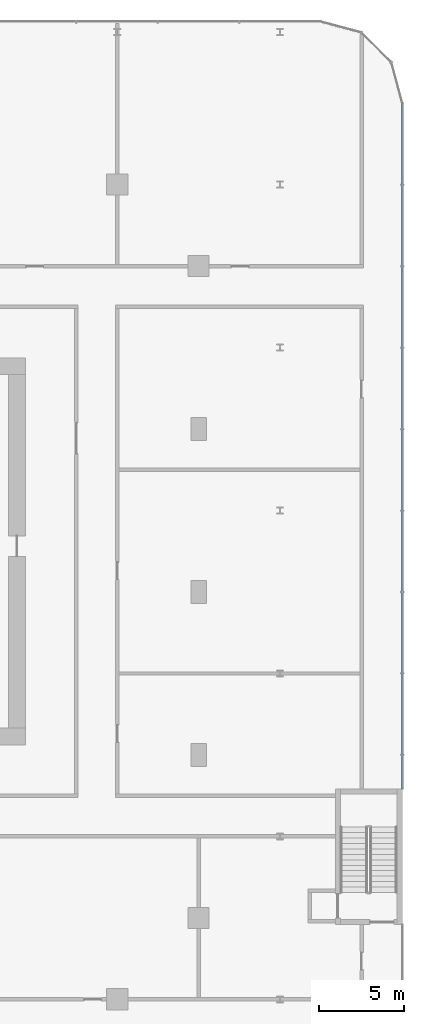
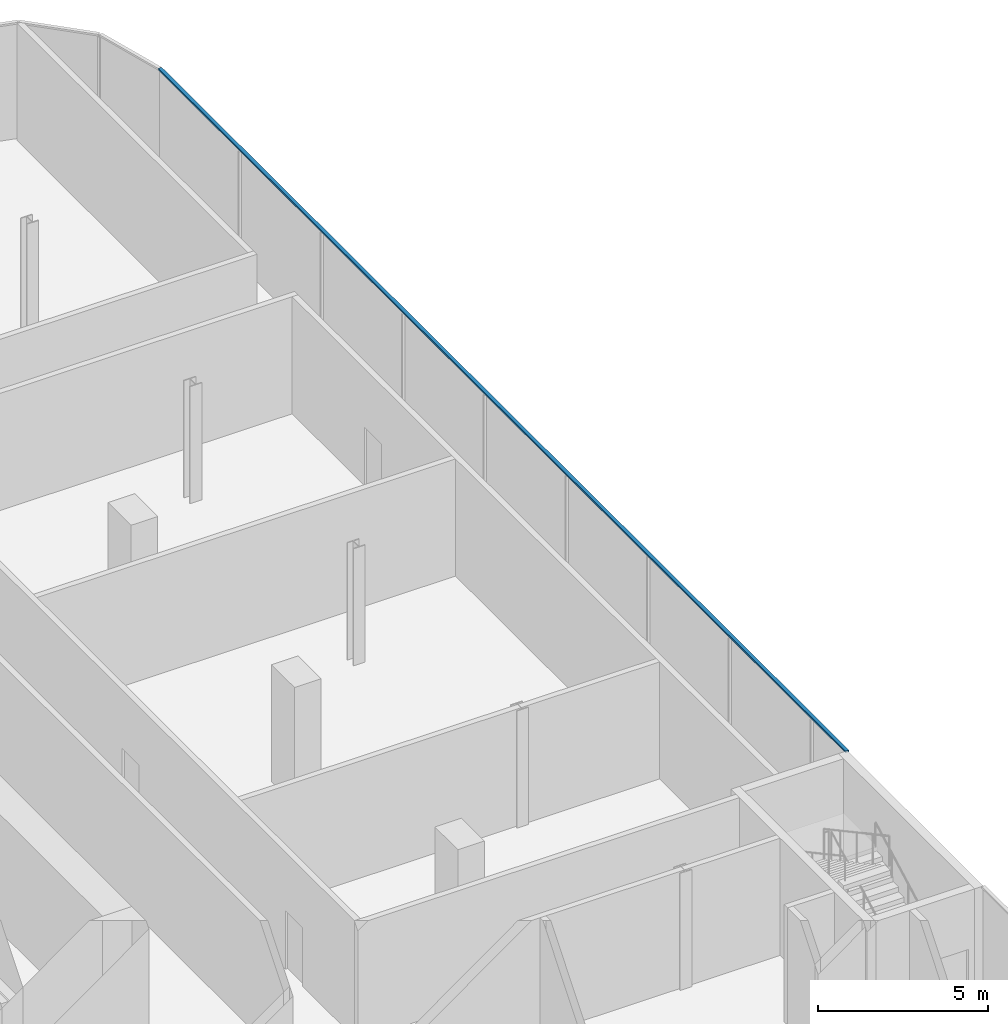
# One storey, part 20 of 43: 1 member, 1 element without a shape of its own.
"""IFC4 building model written with IfcOpenShell, lengths in metres."""

from ifc_helpers import new_model, si_unit, direction, frame, origin, origin_2d, place, context, subcontext, project, spatial, rectangle, extrude, material, layer, layer_set, material_profile, profile_set, type_object, element, aggregate, save


model = new_model("IFC4")

# Units and contexts
model_context = context("Model", 3, precision=1e-05, world=origin(), true_north=direction((0.0, 1.0)))
body_context = subcontext(model_context, "Body", "Model", "MODEL_VIEW")
ifc_project = project(units=[si_unit("LENGTHUNIT", "METRE"), si_unit("AREAUNIT", "SQUARE_METRE"), si_unit("VOLUMEUNIT", "CUBIC_METRE"), si_unit("PLANEANGLEUNIT", "RADIAN"), si_unit("MASSUNIT", "GRAM", prefix="KILO")], contexts=[model_context])

# Site, building, storey
site_placement = place(None, origin())
site = spatial("IfcSite", under=ifc_project, at=site_placement, CompositionType="ELEMENT")
building_placement = place(site_placement, origin())
building = spatial("IfcBuilding", under=site, at=building_placement, Name="Madar Terraces", CompositionType="ELEMENT")
storey_placement = place(building_placement, frame((0.0, 0.0, 10.5)))
storey = spatial("IfcBuildingStorey", under=building, at=storey_placement, Name="L02", CompositionType="ELEMENT", Elevation=10.5)

# Curtain wall, member
ifc_material_1 = material(Name="Glass, clear low-iron, with black aluminium frame", Category="aluminium")
ifc_layer = layer(ifc_material_1, 0.199951171875)
ifc_layer_set = layer_set([ifc_layer], Name="Facade curtain wall, shopfront glazing")
curtain_wall_type = type_object("IfcCurtainWallType", Name="Facade curtain wall, shopfront glazing", PredefinedType="NOTDEFINED", material=ifc_layer_set)
curtain_wall_placement = place(storey_placement, origin())
curtain_wall = element("IfcCurtainWall", 1, at=curtain_wall_placement, inside=storey, type_object=curtain_wall_type, Name="Outer skin curtain wall east bay 1", PredefinedType="NOTDEFINED")
ifc_material_2 = material(Name="Aluminium, black anodised", Category="aluminium")
ifc_material_profile = material_profile(ifc_material_2, rectangle(XDim=0.1201171875, YDim=0.06005859375, at=origin_2d()), Name="Facade transom 60x120")
ifc_profile_set = profile_set([ifc_material_profile], Name="Aluminium, black anodised")
member_type = type_object("IfcMemberType", Name="Facade transom 60x120", PredefinedType="USERDEFINED", material=ifc_profile_set)
member_placement = place(storey_placement, frame((69.60009765625, 12.39990234375, 4.169921875), z_axis=(0.0, 1.0, 0.0), x_axis=(-1.0, 0.0, 0.0)))
member = element("IfcMember", 2, at=member_placement, type_object=member_type, Name="Transom 2", ObjectType="TRANSOM", PredefinedType="USERDEFINED", context=body_context, shape_type="SweptSolid", body=[
    extrude(rectangle(XDim=0.1201171875, YDim=0.06005859375, at=origin_2d()), origin(), (0.0, 0.0, 1.0), 40.400146484375),
])
aggregate(curtain_wall, [member])

save(model, "model.ifc")
